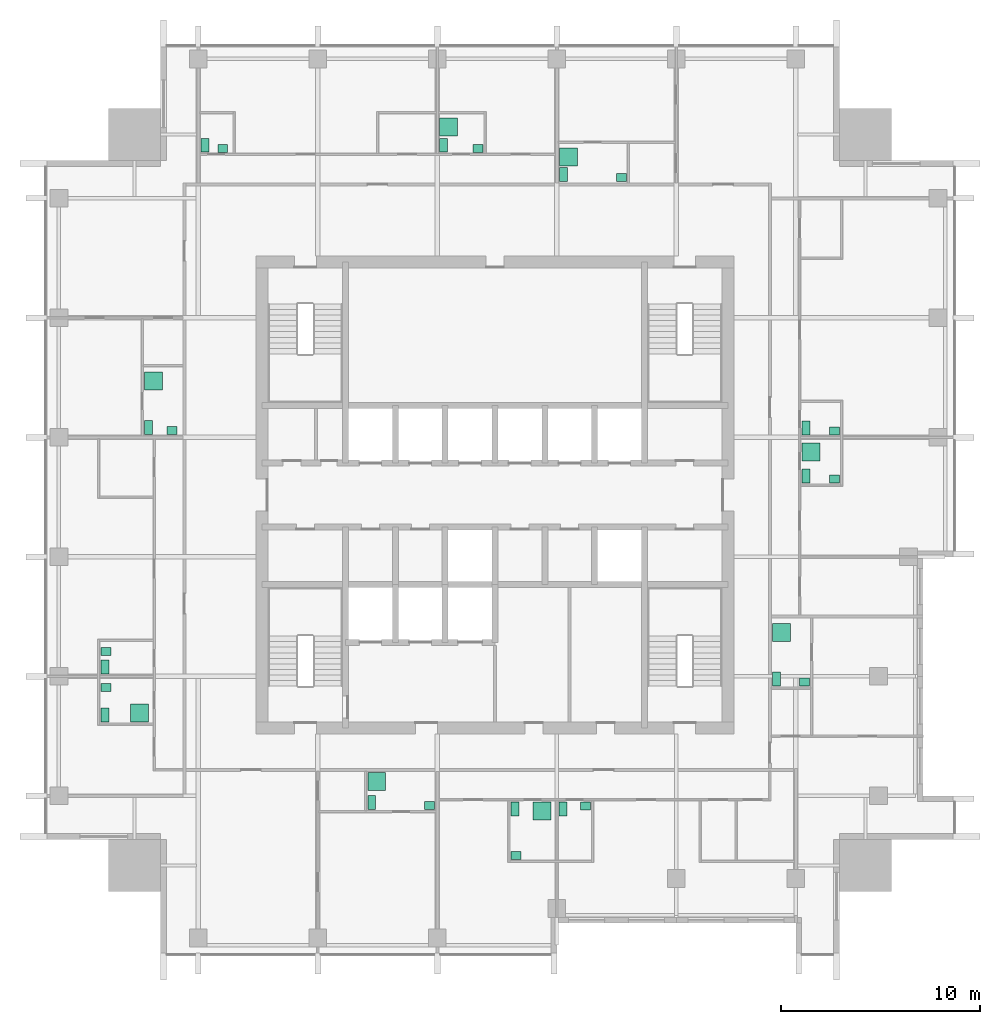
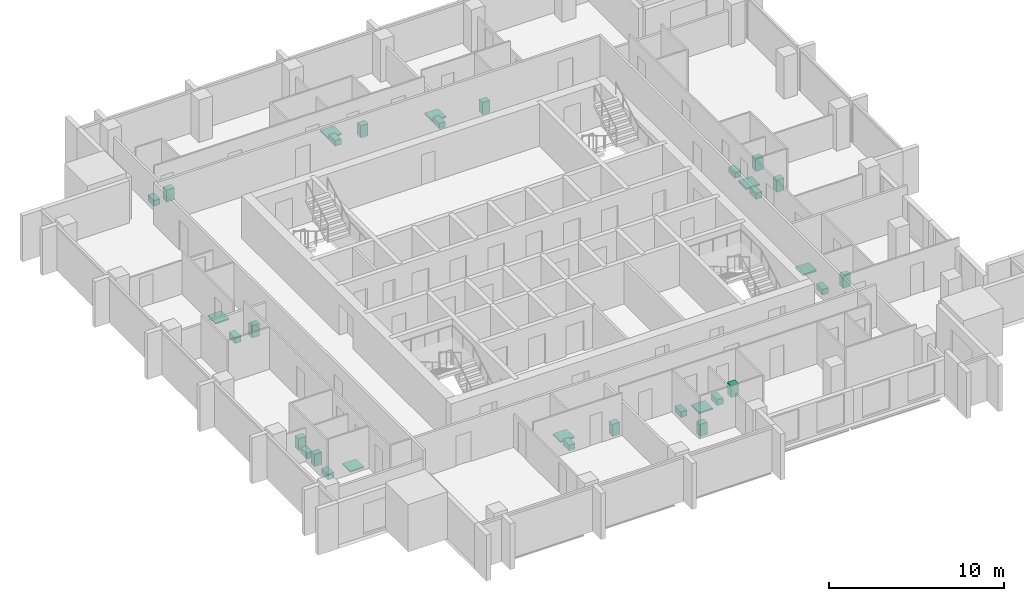
# One storey, part 10 of 10: 32 sanitary terminals.
"""IFC4 building model written with IfcOpenShell, lengths in metres."""

from ifc_helpers import new_model, si_unit, direction, frame, origin, origin_2d, place, context, subcontext, project, spatial, rectangle, extrude, element, save


model = new_model("IFC4")

# Units and contexts
model_context = context("Model", 3, precision=1e-05, world=origin(), true_north=direction((0.0, 1.0)))
body_context = subcontext(model_context, "Body", "Model", "MODEL_VIEW")
ifc_project = project(units=[si_unit("LENGTHUNIT", "METRE"), si_unit("AREAUNIT", "SQUARE_METRE"), si_unit("VOLUMEUNIT", "CUBIC_METRE"), si_unit("PLANEANGLEUNIT", "RADIAN"), si_unit("MASSUNIT", "GRAM", prefix="KILO")], contexts=[model_context])

# Site, building, storey
site_placement = place(None, origin())
site = spatial("IfcSite", under=ifc_project, at=site_placement, CompositionType="ELEMENT")
building_placement = place(site_placement, origin())
building = spatial("IfcBuilding", under=site, at=building_placement, Name="Amberfall Residences", CompositionType="ELEMENT")
storey_placement = place(building_placement, frame((0.0, 0.0, 226.60009765625)))
storey = spatial("IfcBuildingStorey", under=building, at=storey_placement, Name="L61", CompositionType="ELEMENT", Elevation=226.60009765625)

# Sanitary terminals
sanitary_terminal_1_placement = place(storey_placement, frame((68.31005859375, 30.06005859375, 0.0), z_axis=(0.0, 0.0, 1.0), x_axis=(1.0, 0.0, 0.0)))
element("IfcSanitaryTerminal", 1, at=sanitary_terminal_1_placement, inside=storey, Name="Water closet 6101", PredefinedType="TOILETPAN", context=body_context, shape_type="SweptSolid", body=[
    extrude(rectangle(XDim=0.39990234375, YDim=0.699951171875, at=origin_2d()), origin(), (0.0, 0.0, 1.0), 0.39990234375),
])
sanitary_terminal_2_placement = place(storey_placement, frame((71.215087890625, 29.909912109375, -0.000244140625), z_axis=(0.0, 0.0, 1.0), x_axis=(1.0, 0.0, 0.0)))
element("IfcSanitaryTerminal", 2, at=sanitary_terminal_2_placement, inside=storey, Name="Basin 6101", PredefinedType="WASHHANDBASIN", context=body_context, shape_type="SweptSolid", body=[
    extrude(rectangle(XDim=0.5, YDim=0.39990234375, at=origin_2d()), origin(), (0.0, 0.0, 1.0), 0.85009765625),
])
sanitary_terminal_3_placement = place(storey_placement, frame((68.56005859375, 31.114990234375, -0.000244140625), z_axis=(0.0, 0.0, 1.0), x_axis=(1.0, 0.0, 0.0)))
element("IfcSanitaryTerminal", 3, at=sanitary_terminal_3_placement, inside=storey, Name="Shower tray 6101", PredefinedType="SHOWER", context=body_context, shape_type="SweptSolid", body=[
    extrude(rectangle(XDim=0.89990234375, YDim=0.89990234375, at=origin_2d()), origin(), (0.0, 0.0, 1.0), 0.10009765625),
])
sanitary_terminal_4_placement = place(storey_placement, frame((77.909912109375, 29.739990234375, 0.0), z_axis=(0.0, 0.0, 1.0), x_axis=(1.0, 0.0, 0.0)))
element("IfcSanitaryTerminal", 4, at=sanitary_terminal_4_placement, inside=storey, Name="Water closet 6102 1", PredefinedType="TOILETPAN", context=body_context, shape_type="SweptSolid", body=[
    extrude(rectangle(XDim=0.39990234375, YDim=0.699951171875, at=origin_2d()), origin(), (0.0, 0.0, 1.0), 0.39990234375),
])
sanitary_terminal_5_placement = place(storey_placement, frame((79.0400390625, 29.889892578125, -0.000244140625), z_axis=(0.0, 0.0, 1.0), x_axis=(1.0, 0.0, 0.0)))
element("IfcSanitaryTerminal", 5, at=sanitary_terminal_5_placement, inside=storey, Name="Basin 6102 1", PredefinedType="WASHHANDBASIN", context=body_context, shape_type="SweptSolid", body=[
    extrude(rectangle(XDim=0.5, YDim=0.39990234375, at=origin_2d()), origin(), (0.0, 0.0, 1.0), 0.85009765625),
])
sanitary_terminal_6_placement = place(storey_placement, frame((75.510009765625, 29.739990234375, 0.0), z_axis=(0.0, 0.0, 1.0), x_axis=(1.0, 0.0, 0.0)))
element("IfcSanitaryTerminal", 6, at=sanitary_terminal_6_placement, inside=storey, Name="Water closet 6102", PredefinedType="TOILETPAN", context=body_context, shape_type="SweptSolid", body=[
    extrude(rectangle(XDim=0.39990234375, YDim=0.699951171875, at=origin_2d()), origin(), (0.0, 0.0, 1.0), 0.39990234375),
])
sanitary_terminal_7_placement = place(storey_placement, frame((75.56005859375, 27.409912109375, -0.000244140625), z_axis=(0.0, 0.0, 1.0), x_axis=(1.0, 0.0, 0.0)))
element("IfcSanitaryTerminal", 7, at=sanitary_terminal_7_placement, inside=storey, Name="Basin 6102", PredefinedType="WASHHANDBASIN", context=body_context, shape_type="SweptSolid", body=[
    extrude(rectangle(XDim=0.5, YDim=0.39990234375, at=origin_2d()), origin(), (0.0, 0.0, 1.0), 0.85009765625),
])
sanitary_terminal_8_placement = place(storey_placement, frame((76.857177734375, 29.639892578125, -0.000244140625), z_axis=(0.0, 0.0, 1.0), x_axis=(1.0, 0.0, 0.0)))
element("IfcSanitaryTerminal", 8, at=sanitary_terminal_8_placement, inside=storey, Name="Shower tray 6102", PredefinedType="SHOWER", context=body_context, shape_type="SweptSolid", body=[
    extrude(rectangle(XDim=0.89990234375, YDim=0.89990234375, at=origin_2d()), origin(), (0.0, 0.0, 1.0), 0.10009765625),
])
sanitary_terminal_9_placement = place(storey_placement, frame((88.635009765625, 36.260009765625, 0.0), z_axis=(0.0, 0.0, 1.0), x_axis=(1.0, 0.0, 0.0)))
element("IfcSanitaryTerminal", 9, at=sanitary_terminal_9_placement, inside=storey, Name="Water closet 6103", PredefinedType="TOILETPAN", context=body_context, shape_type="SweptSolid", body=[
    extrude(rectangle(XDim=0.39990234375, YDim=0.699951171875, at=origin_2d()), origin(), (0.0, 0.0, 1.0), 0.39990234375),
])
sanitary_terminal_10_placement = place(storey_placement, frame((90.0400390625, 36.110107421875, -0.000244140625), z_axis=(0.0, 0.0, 1.0), x_axis=(1.0, 0.0, 0.0)))
element("IfcSanitaryTerminal", 10, at=sanitary_terminal_10_placement, inside=storey, Name="Basin 6103", PredefinedType="WASHHANDBASIN", context=body_context, shape_type="SweptSolid", body=[
    extrude(rectangle(XDim=0.5, YDim=0.39990234375, at=origin_2d()), origin(), (0.0, 0.0, 1.0), 0.85009765625),
])
sanitary_terminal_11_placement = place(storey_placement, frame((88.885009765625, 38.591796875, -0.000244140625), z_axis=(0.0, 0.0, 1.0), x_axis=(1.0, 0.0, 0.0)))
element("IfcSanitaryTerminal", 11, at=sanitary_terminal_11_placement, inside=storey, Name="Shower tray 6103", PredefinedType="SHOWER", context=body_context, shape_type="SweptSolid", body=[
    extrude(rectangle(XDim=0.89990234375, YDim=0.89990234375, at=origin_2d()), origin(), (0.0, 0.0, 1.0), 0.10009765625),
])
sanitary_terminal_12_placement = place(storey_placement, frame((90.110107421875, 48.860107421875, 0.0), z_axis=(0.0, 0.0, 1.0), x_axis=(1.0, 0.0, 0.0)))
element("IfcSanitaryTerminal", 12, at=sanitary_terminal_12_placement, inside=storey, Name="Water closet 6104 1", PredefinedType="TOILETPAN", context=body_context, shape_type="SweptSolid", body=[
    extrude(rectangle(XDim=0.39990234375, YDim=0.699951171875, at=origin_2d()), origin(), (0.0, 0.0, 1.0), 0.39990234375),
])
sanitary_terminal_13_placement = place(storey_placement, frame((91.5400390625, 48.7099609375, -0.000244140625), z_axis=(0.0, 0.0, 1.0), x_axis=(1.0, 0.0, 0.0)))
element("IfcSanitaryTerminal", 13, at=sanitary_terminal_13_placement, inside=storey, Name="Basin 6104 1", PredefinedType="WASHHANDBASIN", context=body_context, shape_type="SweptSolid", body=[
    extrude(rectangle(XDim=0.5, YDim=0.39990234375, at=origin_2d()), origin(), (0.0, 0.0, 1.0), 0.85009765625),
])
sanitary_terminal_14_placement = place(storey_placement, frame((90.110107421875, 46.4599609375, 0.0), z_axis=(0.0, 0.0, 1.0), x_axis=(1.0, 0.0, 0.0)))
element("IfcSanitaryTerminal", 14, at=sanitary_terminal_14_placement, inside=storey, Name="Water closet 6104", PredefinedType="TOILETPAN", context=body_context, shape_type="SweptSolid", body=[
    extrude(rectangle(XDim=0.39990234375, YDim=0.699951171875, at=origin_2d()), origin(), (0.0, 0.0, 1.0), 0.39990234375),
])
sanitary_terminal_15_placement = place(storey_placement, frame((91.5400390625, 46.31005859375, -0.000244140625), z_axis=(0.0, 0.0, 1.0), x_axis=(1.0, 0.0, 0.0)))
element("IfcSanitaryTerminal", 15, at=sanitary_terminal_15_placement, inside=storey, Name="Basin 6104", PredefinedType="WASHHANDBASIN", context=body_context, shape_type="SweptSolid", body=[
    extrude(rectangle(XDim=0.5, YDim=0.39990234375, at=origin_2d()), origin(), (0.0, 0.0, 1.0), 0.85009765625),
])
sanitary_terminal_16_placement = place(storey_placement, frame((90.360107421875, 47.6572265625, -0.000244140625), z_axis=(0.0, 0.0, 1.0), x_axis=(1.0, 0.0, 0.0)))
element("IfcSanitaryTerminal", 16, at=sanitary_terminal_16_placement, inside=storey, Name="Shower tray 6104", PredefinedType="SHOWER", context=body_context, shape_type="SweptSolid", body=[
    extrude(rectangle(XDim=0.89990234375, YDim=0.89990234375, at=origin_2d()), origin(), (0.0, 0.0, 1.0), 0.10009765625),
])
sanitary_terminal_17_placement = place(storey_placement, frame((59.93505859375, 63.06005859375, 0.0), z_axis=(0.0, 0.0, 1.0), x_axis=(1.0, 0.0, 0.0)))
element("IfcSanitaryTerminal", 17, at=sanitary_terminal_17_placement, inside=storey, Name="Water closet 6105 1", PredefinedType="TOILETPAN", context=body_context, shape_type="SweptSolid", body=[
    extrude(rectangle(XDim=0.39990234375, YDim=0.699951171875, at=origin_2d()), origin(), (0.0, 0.0, 1.0), 0.39990234375),
])
sanitary_terminal_18_placement = place(storey_placement, frame((60.8291015625, 62.909912109375, -0.000244140625), z_axis=(0.0, 0.0, 1.0), x_axis=(1.0, 0.0, 0.0)))
element("IfcSanitaryTerminal", 18, at=sanitary_terminal_18_placement, inside=storey, Name="Basin 6105 1", PredefinedType="WASHHANDBASIN", context=body_context, shape_type="SweptSolid", body=[
    extrude(rectangle(XDim=0.5, YDim=0.39990234375, at=origin_2d()), origin(), (0.0, 0.0, 1.0), 0.85009765625),
])
sanitary_terminal_19_placement = place(storey_placement, frame((71.909912109375, 63.06005859375, 0.0), z_axis=(0.0, 0.0, 1.0), x_axis=(1.0, 0.0, 0.0)))
element("IfcSanitaryTerminal", 19, at=sanitary_terminal_19_placement, inside=storey, Name="Water closet 6105", PredefinedType="TOILETPAN", context=body_context, shape_type="SweptSolid", body=[
    extrude(rectangle(XDim=0.39990234375, YDim=0.699951171875, at=origin_2d()), origin(), (0.0, 0.0, 1.0), 0.39990234375),
])
sanitary_terminal_20_placement = place(storey_placement, frame((73.639892578125, 62.909912109375, -0.000244140625), z_axis=(0.0, 0.0, 1.0), x_axis=(1.0, 0.0, 0.0)))
element("IfcSanitaryTerminal", 20, at=sanitary_terminal_20_placement, inside=storey, Name="Basin 6105", PredefinedType="WASHHANDBASIN", context=body_context, shape_type="SweptSolid", body=[
    extrude(rectangle(XDim=0.5, YDim=0.39990234375, at=origin_2d()), origin(), (0.0, 0.0, 1.0), 0.85009765625),
])
sanitary_terminal_21_placement = place(storey_placement, frame((72.159912109375, 63.9765625, -0.000244140625), z_axis=(0.0, 0.0, 1.0), x_axis=(1.0, 0.0, 0.0)))
element("IfcSanitaryTerminal", 21, at=sanitary_terminal_21_placement, inside=storey, Name="Shower tray 6105", PredefinedType="SHOWER", context=body_context, shape_type="SweptSolid", body=[
    extrude(rectangle(XDim=0.89990234375, YDim=0.89990234375, at=origin_2d()), origin(), (0.0, 0.0, 1.0), 0.10009765625),
])
sanitary_terminal_22_placement = place(storey_placement, frame((77.93505859375, 61.5849609375, 0.0), z_axis=(0.0, 0.0, 1.0), x_axis=(1.0, 0.0, 0.0)))
element("IfcSanitaryTerminal", 22, at=sanitary_terminal_22_placement, inside=storey, Name="Water closet 6106", PredefinedType="TOILETPAN", context=body_context, shape_type="SweptSolid", body=[
    extrude(rectangle(XDim=0.39990234375, YDim=0.699951171875, at=origin_2d()), origin(), (0.0, 0.0, 1.0), 0.39990234375),
])
sanitary_terminal_23_placement = place(storey_placement, frame((80.840087890625, 61.43505859375, -0.000244140625), z_axis=(0.0, 0.0, 1.0), x_axis=(1.0, 0.0, 0.0)))
element("IfcSanitaryTerminal", 23, at=sanitary_terminal_23_placement, inside=storey, Name="Basin 6106", PredefinedType="WASHHANDBASIN", context=body_context, shape_type="SweptSolid", body=[
    extrude(rectangle(XDim=0.5, YDim=0.39990234375, at=origin_2d()), origin(), (0.0, 0.0, 1.0), 0.85009765625),
])
sanitary_terminal_24_placement = place(storey_placement, frame((78.18505859375, 62.480712890625, -0.000244140625), z_axis=(0.0, 0.0, 1.0), x_axis=(1.0, 0.0, 0.0)))
element("IfcSanitaryTerminal", 24, at=sanitary_terminal_24_placement, inside=storey, Name="Shower tray 6106", PredefinedType="SHOWER", context=body_context, shape_type="SweptSolid", body=[
    extrude(rectangle(XDim=0.89990234375, YDim=0.89990234375, at=origin_2d()), origin(), (0.0, 0.0, 1.0), 0.10009765625),
])
sanitary_terminal_25_placement = place(storey_placement, frame((54.909912109375, 36.860107421875, 0.0), z_axis=(0.0, 0.0, 1.0), x_axis=(1.0, 0.0, 0.0)))
element("IfcSanitaryTerminal", 25, at=sanitary_terminal_25_placement, inside=storey, Name="Water closet 6107 1", PredefinedType="TOILETPAN", context=body_context, shape_type="SweptSolid", body=[
    extrude(rectangle(XDim=0.39990234375, YDim=0.699951171875, at=origin_2d()), origin(), (0.0, 0.0, 1.0), 0.39990234375),
])
sanitary_terminal_26_placement = place(storey_placement, frame((54.9599609375, 37.654052734375, -0.000244140625), z_axis=(0.0, 0.0, 1.0), x_axis=(1.0, 0.0, 0.0)))
element("IfcSanitaryTerminal", 26, at=sanitary_terminal_26_placement, inside=storey, Name="Basin 6107 1", PredefinedType="WASHHANDBASIN", context=body_context, shape_type="SweptSolid", body=[
    extrude(rectangle(XDim=0.5, YDim=0.39990234375, at=origin_2d()), origin(), (0.0, 0.0, 1.0), 0.85009765625),
])
sanitary_terminal_27_placement = place(storey_placement, frame((54.909912109375, 34.4599609375, 0.0), z_axis=(0.0, 0.0, 1.0), x_axis=(1.0, 0.0, 0.0)))
element("IfcSanitaryTerminal", 27, at=sanitary_terminal_27_placement, inside=storey, Name="Water closet 6107", PredefinedType="TOILETPAN", context=body_context, shape_type="SweptSolid", body=[
    extrude(rectangle(XDim=0.39990234375, YDim=0.699951171875, at=origin_2d()), origin(), (0.0, 0.0, 1.0), 0.39990234375),
])
sanitary_terminal_28_placement = place(storey_placement, frame((54.9599609375, 35.835693359375, -0.000244140625), z_axis=(0.0, 0.0, 1.0), x_axis=(1.0, 0.0, 0.0)))
element("IfcSanitaryTerminal", 28, at=sanitary_terminal_28_placement, inside=storey, Name="Basin 6107", PredefinedType="WASHHANDBASIN", context=body_context, shape_type="SweptSolid", body=[
    extrude(rectangle(XDim=0.5, YDim=0.39990234375, at=origin_2d()), origin(), (0.0, 0.0, 1.0), 0.85009765625),
])
sanitary_terminal_29_placement = place(storey_placement, frame((56.6533203125, 34.56005859375, -0.000244140625), z_axis=(0.0, 0.0, 1.0), x_axis=(1.0, 0.0, 0.0)))
element("IfcSanitaryTerminal", 29, at=sanitary_terminal_29_placement, inside=storey, Name="Shower tray 6107", PredefinedType="SHOWER", context=body_context, shape_type="SweptSolid", body=[
    extrude(rectangle(XDim=0.89990234375, YDim=0.89990234375, at=origin_2d()), origin(), (0.0, 0.0, 1.0), 0.10009765625),
])
sanitary_terminal_30_placement = place(storey_placement, frame((57.110107421875, 48.885009765625, 0.0), z_axis=(0.0, 0.0, 1.0), x_axis=(1.0, 0.0, 0.0)))
element("IfcSanitaryTerminal", 30, at=sanitary_terminal_30_placement, inside=storey, Name="Water closet 6108", PredefinedType="TOILETPAN", context=body_context, shape_type="SweptSolid", body=[
    extrude(rectangle(XDim=0.39990234375, YDim=0.699951171875, at=origin_2d()), origin(), (0.0, 0.0, 1.0), 0.39990234375),
])
sanitary_terminal_31_placement = place(storey_placement, frame((58.2890625, 48.735107421875, -0.000244140625), z_axis=(0.0, 0.0, 1.0), x_axis=(1.0, 0.0, 0.0)))
element("IfcSanitaryTerminal", 31, at=sanitary_terminal_31_placement, inside=storey, Name="Basin 6108", PredefinedType="WASHHANDBASIN", context=body_context, shape_type="SweptSolid", body=[
    extrude(rectangle(XDim=0.5, YDim=0.39990234375, at=origin_2d()), origin(), (0.0, 0.0, 1.0), 0.85009765625),
])
sanitary_terminal_32_placement = place(storey_placement, frame((57.360107421875, 51.216796875, -0.000244140625), z_axis=(0.0, 0.0, 1.0), x_axis=(1.0, 0.0, 0.0)))
element("IfcSanitaryTerminal", 32, at=sanitary_terminal_32_placement, inside=storey, Name="Shower tray 6108", PredefinedType="SHOWER", context=body_context, shape_type="SweptSolid", body=[
    extrude(rectangle(XDim=0.89990234375, YDim=0.89990234375, at=origin_2d()), origin(), (0.0, 0.0, 1.0), 0.10009765625),
])

save(model, "model.ifc")
